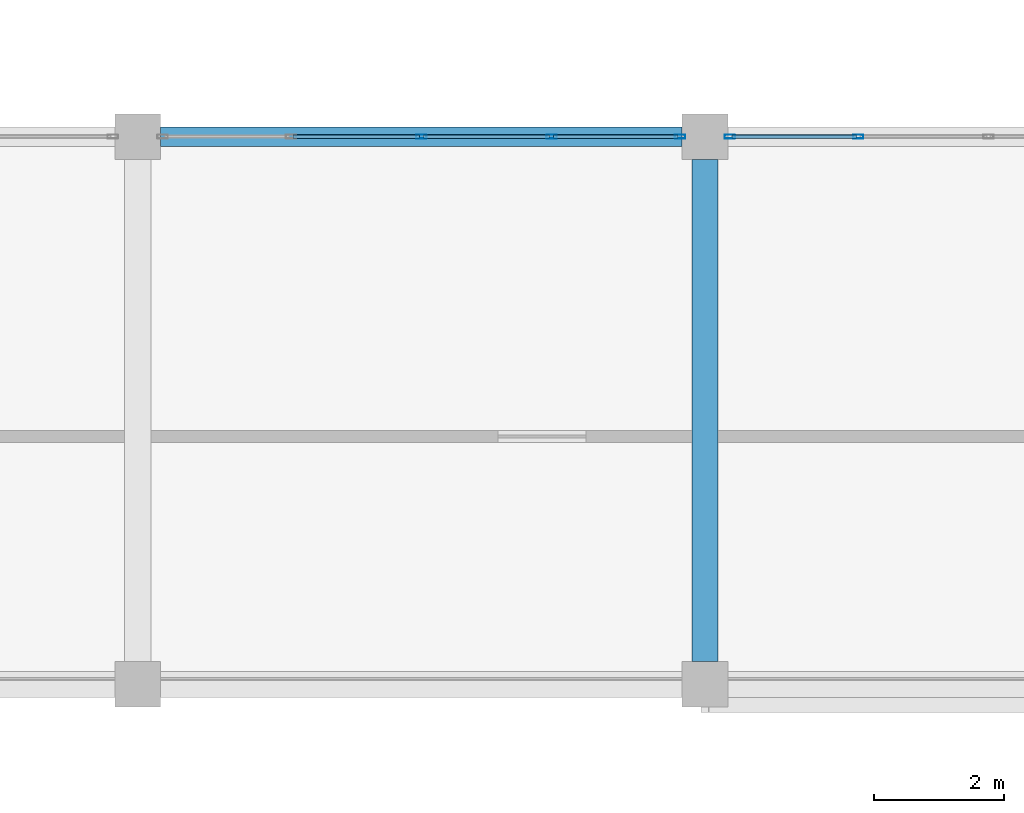
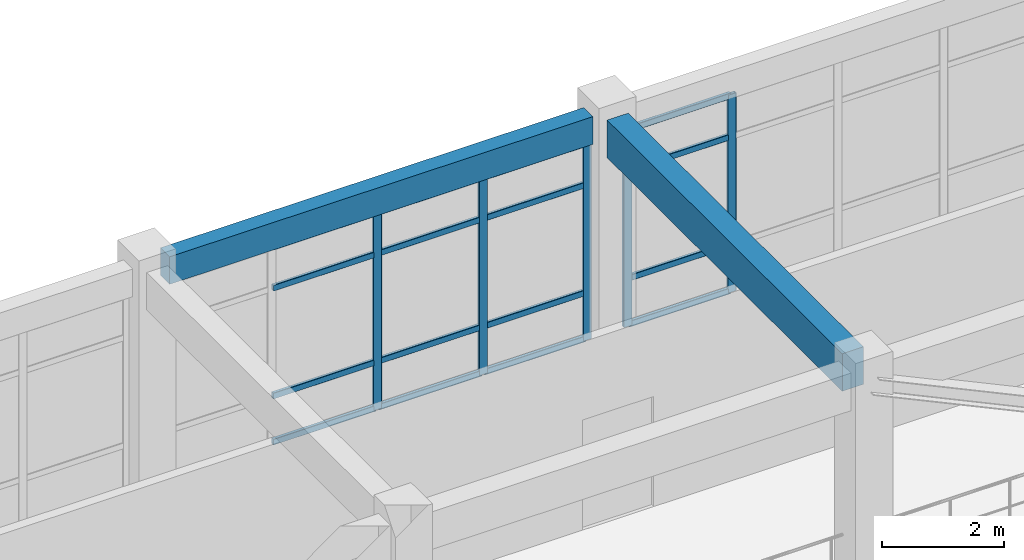
# One storey, part 35 of 76: 21 members, 2 beams, 2 elements without a shape of their own.
"""IFC4 building model written with IfcOpenShell, lengths in metres."""

from ifc_helpers import new_model, si_unit, derived_unit, direction, frame, origin, origin_2d, place, context, subcontext, project, spatial, rectangle, hollow_rectangle, extrude, material, layer, layer_set, material_profile, profile_set, type_object, element, aggregate, save


model = new_model("IFC4")

# Units and contexts
model_context = context("Model", 3, precision=1e-05, world=origin(), true_north=direction((0.0, 1.0)))
body_context = subcontext(model_context, "Body", "Model", "MODEL_VIEW")
ifc_project = project(units=[si_unit("LENGTHUNIT", "METRE"), si_unit("AREAUNIT", "SQUARE_METRE"), si_unit("VOLUMEUNIT", "CUBIC_METRE"), si_unit("PLANEANGLEUNIT", "RADIAN"), si_unit("MASSUNIT", "GRAM", prefix="KILO"), derived_unit("THERMALTRANSMITTANCEUNIT", [(si_unit("MASSUNIT", "GRAM", prefix="KILO"), 1), (si_unit("TIMEUNIT", "SECOND"), -3), (si_unit("THERMODYNAMICTEMPERATUREUNIT", "KELVIN"), -1)])], contexts=[model_context])

# Site, building, storey
site_placement = place(None, origin())
site = spatial("IfcSite", under=ifc_project, at=site_placement, CompositionType="ELEMENT")
building_placement = place(site_placement, origin())
building = spatial("IfcBuilding", under=site, at=building_placement, Name="Qinzheling Arcade Emporium", CompositionType="ELEMENT")
storey_placement = place(building_placement, frame((0.0, 0.0, 26.699951171875)))
storey = spatial("IfcBuildingStorey", under=building, at=storey_placement, Name="L06", CompositionType="ELEMENT", Elevation=26.699951171875)

# Curtain wall, members
ifc_material_1 = material(Name="Anodised aluminium and solar-control double glazing", Category="aluminium")
ifc_layer = layer(ifc_material_1, 0.159912109375, Name="Anodised aluminium and solar-control double glazing", Category="aluminium")
ifc_layer_set = layer_set([ifc_layer], Name="Anodised aluminium and solar-control double glazing")
curtain_wall_type = type_object("IfcCurtainWallType", Name="Atrium Clerestory Curtain Wall", PredefinedType="NOTDEFINED", material=ifc_layer_set)
curtain_wall_1_placement = place(storey_placement, origin())
curtain_wall_1 = element("IfcCurtainWall", 1, at=curtain_wall_1_placement, inside=storey, type_object=curtain_wall_type, Name="Curtain Wall CW-L06-368", PredefinedType="NOTDEFINED")
ifc_material_2 = material(Name="Anodised aluminium 6063-T6", Category="aluminium")
ifc_material_profile_1 = material_profile(ifc_material_2, hollow_rectangle(XDim=0.06005859375, YDim=0.159912109375, WallThickness=0.00390625, InnerFilletRadius=0.00390625, OuterFilletRadius=0.008056640625, at=origin_2d()), Name="RHS 160x60x4", Category="aluminium")
ifc_profile_set_1 = profile_set([ifc_material_profile_1], Name="Anodised aluminium 6063-T6")
member_type_1 = type_object("IfcMemberType", Name="Curtain Wall Mullion RHS160x60", PredefinedType="MULLION", material=ifc_profile_set_1)
member_1_placement = place(storey_placement, frame((65.25, 73.800048828125, 0.0), z_axis=(0.0, 0.0, 1.0), x_axis=(0.0, 1.0, 0.0)))
member_1 = element("IfcMember", 2, at=member_1_placement, type_object=member_type_1, Name="CW03 mullion 3", PredefinedType="MULLION", context=body_context, shape_type="SweptSolid", body=[
    extrude(hollow_rectangle(XDim=0.06005859375, YDim=0.159912109375, WallThickness=0.00390625, InnerFilletRadius=0.00390625, OuterFilletRadius=0.008056640625, at=origin_2d()), origin(), (0.0, 0.0, 1.0), 3.955078125),
])
member_2_placement = place(storey_placement, frame((67.2490234375, 73.800048828125, 0.0), z_axis=(0.0, 0.0, 1.0), x_axis=(0.0, 1.0, 0.0)))
member_2 = element("IfcMember", 3, at=member_2_placement, type_object=member_type_1, Name="CW03 mullion 4", PredefinedType="MULLION", context=body_context, shape_type="SweptSolid", body=[
    extrude(hollow_rectangle(XDim=0.06005859375, YDim=0.159912109375, WallThickness=0.00390625, InnerFilletRadius=0.00390625, OuterFilletRadius=0.008056640625, at=origin_2d()), origin(), (0.0, 0.0, 1.0), 3.955078125),
])
member_3_placement = place(storey_placement, frame((69.218017578125, 73.800048828125, 0.0), z_axis=(0.0, 0.0, 1.0), x_axis=(0.0, 1.0, 0.0)))
member_3 = element("IfcMember", 4, at=member_3_placement, type_object=member_type_1, Name="CW03 mullion 5", PredefinedType="MULLION", context=body_context, shape_type="SweptSolid", body=[
    extrude(hollow_rectangle(XDim=0.06005859375, YDim=0.159912109375, WallThickness=0.00390625, InnerFilletRadius=0.00390625, OuterFilletRadius=0.008056640625, at=origin_2d()), origin(), (0.0, 0.0, 1.0), 3.955078125),
])

curtain_wall_2_placement = place(storey_placement, origin())
curtain_wall_2 = element("IfcCurtainWall", 5, at=curtain_wall_2_placement, inside=storey, type_object=curtain_wall_type, Name="Curtain Wall CW-L06-369", PredefinedType="NOTDEFINED")
member_4_placement = place(storey_placement, frame((69.98193359375, 73.800048828125, 0.0), z_axis=(0.0, 0.0, 1.0), x_axis=(0.0, 1.0, 0.0)))
member_4 = element("IfcMember", 6, at=member_4_placement, type_object=member_type_1, Name="CW03 mullion 1", PredefinedType="MULLION", context=body_context, shape_type="SweptSolid", body=[
    extrude(hollow_rectangle(XDim=0.06005859375, YDim=0.159912109375, WallThickness=0.00390625, InnerFilletRadius=0.00390625, OuterFilletRadius=0.008056640625, at=origin_2d()), origin(), (0.0, 0.0, 1.0), 3.955078125),
])
member_5_placement = place(storey_placement, frame((71.950927734375, 73.800048828125, 0.0), z_axis=(0.0, 0.0, 1.0), x_axis=(0.0, 1.0, 0.0)))
member_5 = element("IfcMember", 7, at=member_5_placement, type_object=member_type_1, Name="CW03 mullion 2", PredefinedType="MULLION", context=body_context, shape_type="SweptSolid", body=[
    extrude(hollow_rectangle(XDim=0.06005859375, YDim=0.159912109375, WallThickness=0.00390625, InnerFilletRadius=0.00390625, OuterFilletRadius=0.008056640625, at=origin_2d()), origin(), (0.0, 0.0, 1.0), 3.955078125),
])

# Member
ifc_material_profile_2 = material_profile(ifc_material_2, hollow_rectangle(XDim=0.06005859375, YDim=0.1201171875, WallThickness=0.00390625, InnerFilletRadius=0.00390625, OuterFilletRadius=0.008056640625, at=origin_2d()), Name="RHS 120x60x4", Category="aluminium")
ifc_profile_set_2 = profile_set([ifc_material_profile_2], Name="Anodised aluminium 6063-T6")
member_type_2 = type_object("IfcMemberType", Name="Curtain Wall Transom RHS120x60", PredefinedType="USERDEFINED", material=ifc_profile_set_2)
member_6_placement = place(storey_placement, frame((63.281005859375, 73.800048828125, 0.030029296875), z_axis=(1.0, 0.0, 0.0), x_axis=(0.0, 1.0, 0.0)))
member_6 = element("IfcMember", 8, at=member_6_placement, type_object=member_type_2, Name="CW03 transom 2.1", ObjectType="TRANSOM", PredefinedType="USERDEFINED", context=body_context, shape_type="SweptSolid", body=[
    extrude(hollow_rectangle(XDim=0.06005859375, YDim=0.1201171875, WallThickness=0.00390625, InnerFilletRadius=0.00390625, OuterFilletRadius=0.008056640625, at=origin_2d()), origin(), (0.0, 0.0, 1.0), 1.93896484375),
])

member_7_placement = place(storey_placement, frame((63.281005859375, 73.800048828125, 0.949951171875), z_axis=(1.0, 0.0, 0.0), x_axis=(0.0, 1.0, 0.0)))
member_7 = element("IfcMember", 9, at=member_7_placement, type_object=member_type_2, Name="CW03 transom 2.2", ObjectType="TRANSOM", PredefinedType="USERDEFINED", context=body_context, shape_type="SweptSolid", body=[
    extrude(hollow_rectangle(XDim=0.06005859375, YDim=0.1201171875, WallThickness=0.00390625, InnerFilletRadius=0.00390625, OuterFilletRadius=0.008056640625, at=origin_2d()), origin(), (0.0, 0.0, 1.0), 1.93896484375),
])

member_8_placement = place(storey_placement, frame((63.281005859375, 73.800048828125, 3.10498046875), z_axis=(1.0, 0.0, 0.0), x_axis=(0.0, 1.0, 0.0)))
member_8 = element("IfcMember", 10, at=member_8_placement, type_object=member_type_2, Name="CW03 transom 2.3", ObjectType="TRANSOM", PredefinedType="USERDEFINED", context=body_context, shape_type="SweptSolid", body=[
    extrude(hollow_rectangle(XDim=0.06005859375, YDim=0.1201171875, WallThickness=0.00390625, InnerFilletRadius=0.00390625, OuterFilletRadius=0.008056640625, at=origin_2d()), origin(), (0.0, 0.0, 1.0), 1.93896484375),
])

member_9_placement = place(storey_placement, frame((63.281005859375, 73.800048828125, 3.925048828125), z_axis=(1.0, 0.0, 0.0), x_axis=(0.0, 1.0, 0.0)))
member_9 = element("IfcMember", 11, at=member_9_placement, type_object=member_type_2, Name="CW03 transom 2.4", ObjectType="TRANSOM", PredefinedType="USERDEFINED", context=body_context, shape_type="SweptSolid", body=[
    extrude(hollow_rectangle(XDim=0.06005859375, YDim=0.1201171875, WallThickness=0.00390625, InnerFilletRadius=0.00390625, OuterFilletRadius=0.008056640625, at=origin_2d()), origin(), (0.0, 0.0, 1.0), 1.93896484375),
])

member_10_placement = place(storey_placement, frame((65.280029296875, 73.800048828125, 0.030029296875), z_axis=(1.0, 0.0, 0.0), x_axis=(0.0, 1.0, 0.0)))
member_10 = element("IfcMember", 12, at=member_10_placement, type_object=member_type_2, Name="CW03 transom 3.1", ObjectType="TRANSOM", PredefinedType="USERDEFINED", context=body_context, shape_type="SweptSolid", body=[
    extrude(hollow_rectangle(XDim=0.06005859375, YDim=0.1201171875, WallThickness=0.00390625, InnerFilletRadius=0.00390625, OuterFilletRadius=0.008056640625, at=origin_2d()), origin(), (0.0, 0.0, 1.0), 1.93896484375),
])

member_11_placement = place(storey_placement, frame((65.280029296875, 73.800048828125, 0.949951171875), z_axis=(1.0, 0.0, 0.0), x_axis=(0.0, 1.0, 0.0)))
member_11 = element("IfcMember", 13, at=member_11_placement, type_object=member_type_2, Name="CW03 transom 3.2", ObjectType="TRANSOM", PredefinedType="USERDEFINED", context=body_context, shape_type="SweptSolid", body=[
    extrude(hollow_rectangle(XDim=0.06005859375, YDim=0.1201171875, WallThickness=0.00390625, InnerFilletRadius=0.00390625, OuterFilletRadius=0.008056640625, at=origin_2d()), origin(), (0.0, 0.0, 1.0), 1.93896484375),
])

member_12_placement = place(storey_placement, frame((65.280029296875, 73.800048828125, 3.10498046875), z_axis=(1.0, 0.0, 0.0), x_axis=(0.0, 1.0, 0.0)))
member_12 = element("IfcMember", 14, at=member_12_placement, type_object=member_type_2, Name="CW03 transom 3.3", ObjectType="TRANSOM", PredefinedType="USERDEFINED", context=body_context, shape_type="SweptSolid", body=[
    extrude(hollow_rectangle(XDim=0.06005859375, YDim=0.1201171875, WallThickness=0.00390625, InnerFilletRadius=0.00390625, OuterFilletRadius=0.008056640625, at=origin_2d()), origin(), (0.0, 0.0, 1.0), 1.93896484375),
])

member_13_placement = place(storey_placement, frame((65.280029296875, 73.800048828125, 3.925048828125), z_axis=(1.0, 0.0, 0.0), x_axis=(0.0, 1.0, 0.0)))
member_13 = element("IfcMember", 15, at=member_13_placement, type_object=member_type_2, Name="CW03 transom 3.4", ObjectType="TRANSOM", PredefinedType="USERDEFINED", context=body_context, shape_type="SweptSolid", body=[
    extrude(hollow_rectangle(XDim=0.06005859375, YDim=0.1201171875, WallThickness=0.00390625, InnerFilletRadius=0.00390625, OuterFilletRadius=0.008056640625, at=origin_2d()), origin(), (0.0, 0.0, 1.0), 1.93896484375),
])

member_14_placement = place(storey_placement, frame((67.279052734375, 73.800048828125, 0.030029296875), z_axis=(1.0, 0.0, 0.0), x_axis=(0.0, 1.0, 0.0)))
member_14 = element("IfcMember", 16, at=member_14_placement, type_object=member_type_2, Name="CW03 transom 4.1", ObjectType="TRANSOM", PredefinedType="USERDEFINED", context=body_context, shape_type="SweptSolid", body=[
    extrude(hollow_rectangle(XDim=0.06005859375, YDim=0.1201171875, WallThickness=0.00390625, InnerFilletRadius=0.00390625, OuterFilletRadius=0.008056640625, at=origin_2d()), origin(), (0.0, 0.0, 1.0), 1.908935546875),
])

member_15_placement = place(storey_placement, frame((67.279052734375, 73.800048828125, 0.949951171875), z_axis=(1.0, 0.0, 0.0), x_axis=(0.0, 1.0, 0.0)))
member_15 = element("IfcMember", 17, at=member_15_placement, type_object=member_type_2, Name="CW03 transom 4.2", ObjectType="TRANSOM", PredefinedType="USERDEFINED", context=body_context, shape_type="SweptSolid", body=[
    extrude(hollow_rectangle(XDim=0.06005859375, YDim=0.1201171875, WallThickness=0.00390625, InnerFilletRadius=0.00390625, OuterFilletRadius=0.008056640625, at=origin_2d()), origin(), (0.0, 0.0, 1.0), 1.908935546875),
])

member_16_placement = place(storey_placement, frame((67.279052734375, 73.800048828125, 3.10498046875), z_axis=(1.0, 0.0, 0.0), x_axis=(0.0, 1.0, 0.0)))
member_16 = element("IfcMember", 18, at=member_16_placement, type_object=member_type_2, Name="CW03 transom 4.3", ObjectType="TRANSOM", PredefinedType="USERDEFINED", context=body_context, shape_type="SweptSolid", body=[
    extrude(hollow_rectangle(XDim=0.06005859375, YDim=0.1201171875, WallThickness=0.00390625, InnerFilletRadius=0.00390625, OuterFilletRadius=0.008056640625, at=origin_2d()), origin(), (0.0, 0.0, 1.0), 1.908935546875),
])

member_17_placement = place(storey_placement, frame((67.279052734375, 73.800048828125, 3.925048828125), z_axis=(1.0, 0.0, 0.0), x_axis=(0.0, 1.0, 0.0)))
member_17 = element("IfcMember", 19, at=member_17_placement, type_object=member_type_2, Name="CW03 transom 4.4", ObjectType="TRANSOM", PredefinedType="USERDEFINED", context=body_context, shape_type="SweptSolid", body=[
    extrude(hollow_rectangle(XDim=0.06005859375, YDim=0.1201171875, WallThickness=0.00390625, InnerFilletRadius=0.00390625, OuterFilletRadius=0.008056640625, at=origin_2d()), origin(), (0.0, 0.0, 1.0), 1.908935546875),
])

aggregate(curtain_wall_1, [member_1, member_2, member_3, member_6, member_7, member_8, member_9, member_10, member_11, member_12, member_13, member_14, member_15, member_16, member_17])

member_18_placement = place(storey_placement, frame((70.011962890625, 73.800048828125, 0.030029296875), z_axis=(1.0, 0.0, 0.0), x_axis=(0.0, 1.0, 0.0)))
member_18 = element("IfcMember", 20, at=member_18_placement, type_object=member_type_2, Name="CW03 transom 1.1", ObjectType="TRANSOM", PredefinedType="USERDEFINED", context=body_context, shape_type="SweptSolid", body=[
    extrude(hollow_rectangle(XDim=0.06005859375, YDim=0.1201171875, WallThickness=0.00390625, InnerFilletRadius=0.00390625, OuterFilletRadius=0.008056640625, at=origin_2d()), origin(), (0.0, 0.0, 1.0), 1.908935546875),
])

member_19_placement = place(storey_placement, frame((70.011962890625, 73.800048828125, 0.949951171875), z_axis=(1.0, 0.0, 0.0), x_axis=(0.0, 1.0, 0.0)))
member_19 = element("IfcMember", 21, at=member_19_placement, type_object=member_type_2, Name="CW03 transom 1.2", ObjectType="TRANSOM", PredefinedType="USERDEFINED", context=body_context, shape_type="SweptSolid", body=[
    extrude(hollow_rectangle(XDim=0.06005859375, YDim=0.1201171875, WallThickness=0.00390625, InnerFilletRadius=0.00390625, OuterFilletRadius=0.008056640625, at=origin_2d()), origin(), (0.0, 0.0, 1.0), 1.908935546875),
])

member_20_placement = place(storey_placement, frame((70.011962890625, 73.800048828125, 3.10498046875), z_axis=(1.0, 0.0, 0.0), x_axis=(0.0, 1.0, 0.0)))
member_20 = element("IfcMember", 22, at=member_20_placement, type_object=member_type_2, Name="CW03 transom 1.3", ObjectType="TRANSOM", PredefinedType="USERDEFINED", context=body_context, shape_type="SweptSolid", body=[
    extrude(hollow_rectangle(XDim=0.06005859375, YDim=0.1201171875, WallThickness=0.00390625, InnerFilletRadius=0.00390625, OuterFilletRadius=0.008056640625, at=origin_2d()), origin(), (0.0, 0.0, 1.0), 1.908935546875),
])

member_21_placement = place(storey_placement, frame((70.011962890625, 73.800048828125, 3.925048828125), z_axis=(1.0, 0.0, 0.0), x_axis=(0.0, 1.0, 0.0)))
member_21 = element("IfcMember", 23, at=member_21_placement, type_object=member_type_2, Name="CW03 transom 1.4", ObjectType="TRANSOM", PredefinedType="USERDEFINED", context=body_context, shape_type="SweptSolid", body=[
    extrude(hollow_rectangle(XDim=0.06005859375, YDim=0.1201171875, WallThickness=0.00390625, InnerFilletRadius=0.00390625, OuterFilletRadius=0.008056640625, at=origin_2d()), origin(), (0.0, 0.0, 1.0), 1.908935546875),
])

aggregate(curtain_wall_2, [member_4, member_5, member_18, member_19, member_20, member_21])

# Beams
ifc_material_3 = material(Name="Concrete C40", Category="concrete")
ifc_material_profile_3 = material_profile(ifc_material_3, rectangle(XDim=0.39990234375, YDim=0.75, at=origin_2d()), Name="RC 400x750", Category="concrete")
ifc_profile_set_3 = profile_set([ifc_material_profile_3], Name="Concrete C40")
beam_type_1 = type_object("IfcBeamType", Name="RC Interior Tie Beam 400x750 C40", PredefinedType="BEAM", material=ifc_profile_set_3)
beam_1_placement = place(storey_placement, frame((69.60009765625, 65.75, 4.14501953125), z_axis=(0.0, 1.0, 0.0), x_axis=(-1.0, 0.0, 0.0)))
element("IfcBeam", 24, at=beam_1_placement, inside=storey, type_object=beam_type_1, Name="Beam BM-L06-Y-9-H", PredefinedType="BEAM", context=body_context, shape_type="SweptSolid", body=[
    extrude(rectangle(XDim=0.39990234375, YDim=0.75, at=origin_2d()), origin(), (0.0, 0.0, 1.0), 7.699951171875),
])
ifc_material_profile_4 = material_profile(ifc_material_3, rectangle(XDim=0.300048828125, YDim=0.550048828125, at=origin_2d()), Name="RC 300x550", Category="concrete")
ifc_profile_set_4 = profile_set([ifc_material_profile_4], Name="Concrete C40")
beam_type_2 = type_object("IfcBeamType", Name="RC Terrace Spandrel Beam 300x550 C40", PredefinedType="SPANDREL", material=ifc_profile_set_4)
beam_2_placement = place(storey_placement, frame((61.25, 73.800048828125, 4.2451171875), z_axis=(1.0, 0.0, 0.0), x_axis=(0.0, 1.0, 0.0)))
element("IfcBeam", 25, at=beam_2_placement, inside=storey, type_object=beam_type_2, Name="Beam BM-L06-X-J-8", PredefinedType="SPANDREL", context=body_context, shape_type="SweptSolid", body=[
    extrude(rectangle(XDim=0.300048828125, YDim=0.550048828125, at=origin_2d()), origin(), (0.0, 0.0, 1.0), 8.0),
])

save(model, "model.ifc")
